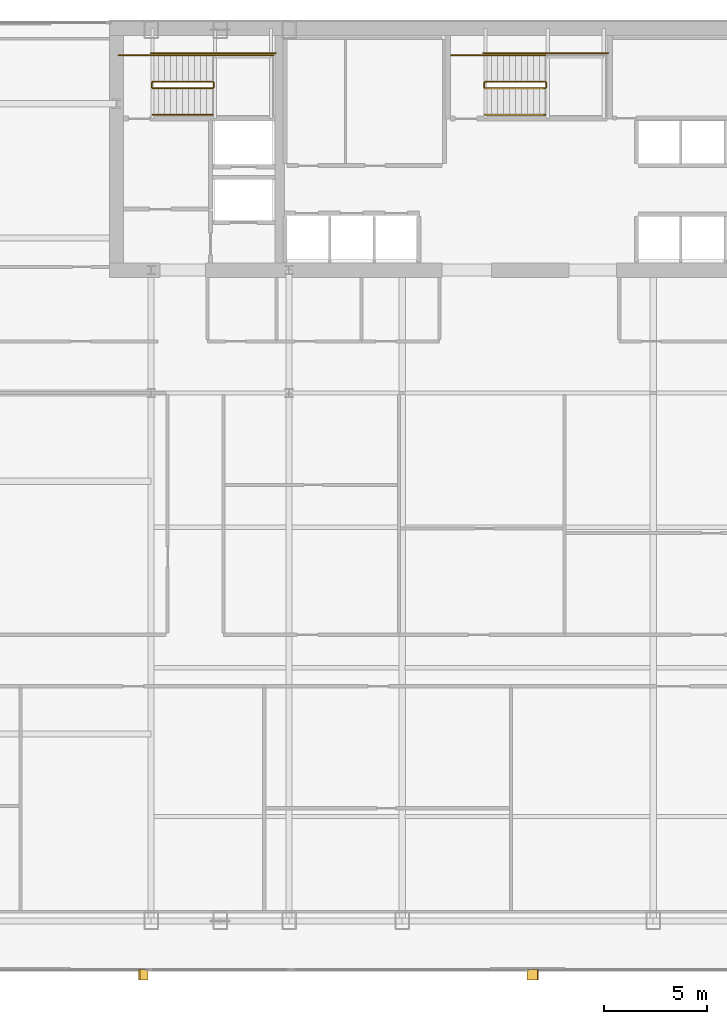
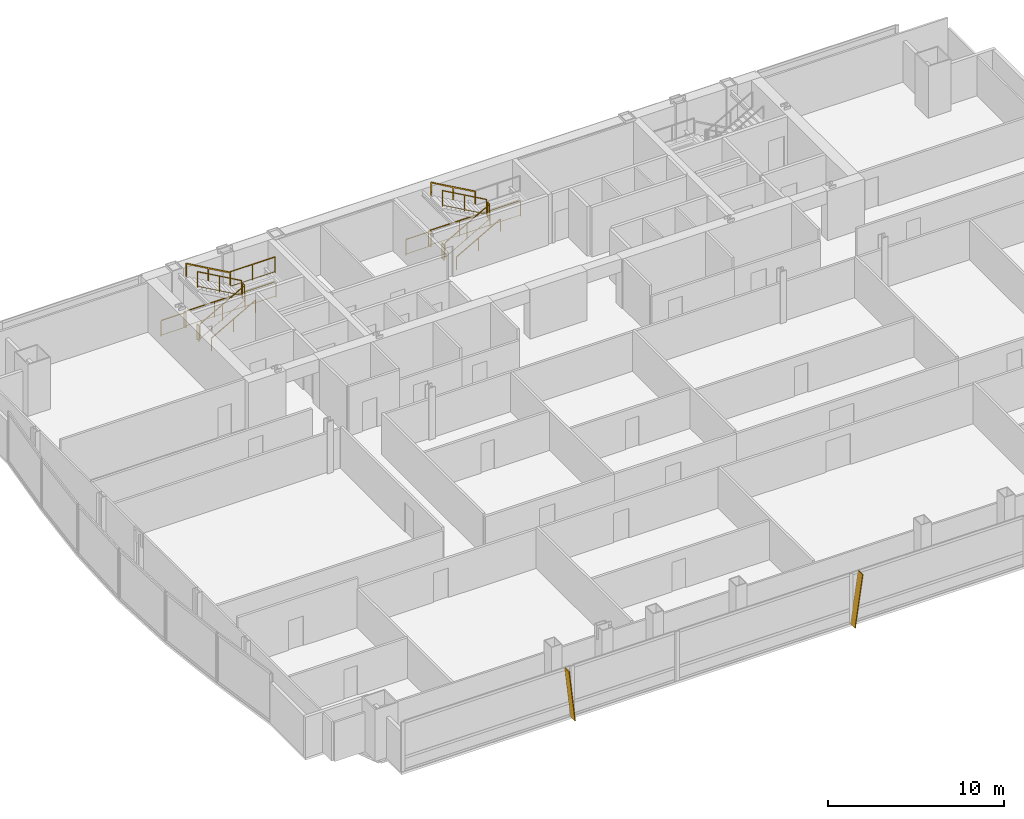
# One storey, part 30 of 32: 17 railings, 2 shading devices.
"""IFC4 building model written with IfcOpenShell, lengths in metres."""

import ifcopenshell
import ifcopenshell.guid

model = None  # the IFC model being written
_history = None  # IfcOwnerHistory: only IFC2X3 demands one
_inside = {}  # id of a spatial element -> (the spatial element, [elements in it])
_under = {}  # id of a project, library or spatial element -> (it, [spatial elements below it])
_declared = {}  # id of a project -> (the project, [libraries it declares])
_typed = {}  # id of a type object -> (the type object, [elements of that type])
_made_of = {}  # id of a material, layer set ... -> (it, [elements and type objects made of it])


def new_model(schema):
    """Start an empty IFC model of exactly this schema.

    Asked for "IFC4X3", IfcOpenShell would pick the latest addendum, in which some entities
    have other attributes; the version numbers below select the first issue.
    IFC2X3 requires an IfcOwnerHistory on every rooted entity: one is made here for all.
    """
    global model, _history
    if schema == "IFC4X3":
        model = ifcopenshell.file(schema_version=(4, 3, 0, 0))
    else:
        model = ifcopenshell.file(schema=schema)
    _inside.clear()
    _under.clear()
    _declared.clear()
    _typed.clear()
    _made_of.clear()
    _history = None
    if model.schema == "IFC2X3":
        org = make("IfcOrganization", Name="unknown")
        user = make(
            "IfcPersonAndOrganization",
            ThePerson=make("IfcPerson", FamilyName="unknown"),
            TheOrganization=org,
        )
        app = make(
            "IfcApplication",
            ApplicationDeveloper=org,
            Version="unknown",
            ApplicationFullName="unknown",
            ApplicationIdentifier="unknown",
        )
        _history = make(
            "IfcOwnerHistory",
            OwningUser=user,
            OwningApplication=app,
            ChangeAction="ADDED",
            CreationDate=0,
        )
    return model


def make(cls, **values):
    """One entity of the class cls with the attributes given. An attribute that is None is left unset."""
    return model.create_entity(
        cls, **{name: value for name, value in values.items() if value is not None}
    )


def rooted(cls, **values):
    """An entity with a GlobalId (a new one), such as an element, a storey or a relation."""
    return make(cls, GlobalId=ifcopenshell.guid.new(), OwnerHistory=_history, **values)


def si_unit(unit_type, name, prefix=None):
    """IfcSIUnit, for example si_unit("LENGTHUNIT", "METRE", prefix="MILLI")."""
    return make("IfcSIUnit", UnitType=unit_type, Prefix=prefix, Name=name)


def assignment(units):
    """IfcUnitAssignment: the units of a project."""
    return None if units is None else make("IfcUnitAssignment", Units=units)


def point(xyz):
    """IfcCartesianPoint."""
    return None if xyz is None else make("IfcCartesianPoint", Coordinates=xyz)


def direction(xyz):
    """IfcDirection."""
    return None if xyz is None else make("IfcDirection", DirectionRatios=xyz)


def frame(location, z_axis=None, x_axis=None):
    """IfcAxis2Placement3D, a coordinate frame: its origin and axes. An axis left out is left unset."""
    return make(
        "IfcAxis2Placement3D",
        Location=point(location),
        Axis=direction(z_axis),
        RefDirection=direction(x_axis),
    )


def frame_2d(location, x_axis=None):
    """IfcAxis2Placement2D, a coordinate frame in the plane: its origin and x axis."""
    return make(
        "IfcAxis2Placement2D", Location=point(location), RefDirection=direction(x_axis)
    )


def origin():
    """The frame at (0, 0, 0) with its axes left unset."""
    return frame((0.0, 0.0, 0.0))


def origin_2d():
    """The frame at (0, 0) in the plane with its x axis left unset."""
    return frame_2d((0.0, 0.0))


def place(relative_to, where):
    """IfcLocalPlacement: puts the frame where relative to a parent placement (None: the world)."""
    return make(
        "IfcLocalPlacement", PlacementRelTo=relative_to, RelativePlacement=where
    )


def context(
    kind, dimensions, precision=None, world=None, true_north=None, identifier=None
):
    """IfcGeometricRepresentationContext, for example the 3D "Model" context."""
    return make(
        "IfcGeometricRepresentationContext",
        ContextIdentifier=identifier,
        ContextType=kind,
        CoordinateSpaceDimension=dimensions,
        Precision=precision,
        WorldCoordinateSystem=world,
        TrueNorth=true_north,
    )


def subcontext(parent, identifier, kind, view, scale=None):
    """IfcGeometricRepresentationSubContext, for example "Body" below "Model"."""
    return make(
        "IfcGeometricRepresentationSubContext",
        ContextIdentifier=identifier,
        ContextType=kind,
        ParentContext=parent,
        TargetScale=scale,
        TargetView=view,
    )


def project(units=None, contexts=None):
    """IfcProject with its units and contexts."""
    return rooted(
        "IfcProject",
        Name="project",
        RepresentationContexts=contexts,
        UnitsInContext=assignment(units),
    )


def spatial(cls, under=None, at=None, **own):
    """A site, building, storey or space (cls), placed at a placement, below another one or the project."""
    s = rooted(cls, ObjectPlacement=at, **own)
    if under is not None:
        _under.setdefault(under.id(), (under, []))[1].append(s)
    return s


def polyline(points):
    """IfcPolyline through the points."""
    return make("IfcPolyline", Points=[point(p) for p in points])


def profile(cls, at=None, kind="AREA", **sizes):
    """A parametric profile (cls). Its sizes go by their IFC names, for example OverallWidth=200.0."""
    return make(cls, ProfileType=kind, Position=at, **sizes)


def rectangle(**sizes):
    """IfcRectangleProfileDef."""
    return profile("IfcRectangleProfileDef", **sizes)


def outline(outer, holes=None, kind="AREA"):
    """IfcArbitraryClosedProfileDef: a profile drawn as a closed curve; with holes, ...WithVoids."""
    if holes is None:
        return make("IfcArbitraryClosedProfileDef", ProfileType=kind, OuterCurve=outer)
    return make(
        "IfcArbitraryProfileDefWithVoids",
        ProfileType=kind,
        OuterCurve=outer,
        InnerCurves=holes,
    )


def extrude(swept, where, along, depth):
    """IfcExtrudedAreaSolid: the profile swept, set in the frame where, extruded along a direction by depth."""
    return make(
        "IfcExtrudedAreaSolid",
        SweptArea=swept,
        Position=where,
        ExtrudedDirection=direction(along),
        Depth=depth,
    )


def shape(context_of_items, identifier, shape_type, items):
    """IfcShapeRepresentation: the items that make up one representation, for example the "Body"."""
    return make(
        "IfcShapeRepresentation",
        ContextOfItems=context_of_items,
        RepresentationIdentifier=identifier,
        RepresentationType=shape_type,
        Items=items,
    )


def material(Name=None, Category=None):
    """IfcMaterial."""
    return make("IfcMaterial", Name=Name, Category=Category)


def layer(
    of_material, thickness, ventilated=None, Name=None, Category=None, Priority=None
):
    """IfcMaterialLayer: one layer of a wall or slab, of a material (None: an air gap)."""
    return make(
        "IfcMaterialLayer",
        Material=of_material,
        LayerThickness=thickness,
        IsVentilated=ventilated,
        Name=Name,
        Category=Category,
        Priority=Priority,
    )


def layer_set(layers, Name=None):
    """IfcMaterialLayerSet."""
    return make("IfcMaterialLayerSet", MaterialLayers=layers, LayerSetName=Name)


def made_of(thing, what):
    """Note that an element or type object is made of a material, layer set ...; save() writes the relation."""
    if what is not None:
        _made_of.setdefault(what.id(), (what, []))[1].append(thing)
    return thing


def type_object(cls, material=None, **own):
    """A type object (cls), such as IfcWallType, which elements share."""
    return made_of(rooted(cls, **own), material)


def element(
    cls,
    number,
    at=None,
    inside=None,
    cuts=None,
    type_object=None,
    material=None,
    context=None,
    identifier="Body",
    shape_type=None,
    held_by="IfcProductDefinitionShape",
    body=None,
    shapes=None,
    **own,
):
    """One element of the class cls, such as IfcWall. Its Tag is "e" and its number.

    at: its placement. inside: the storey or other place that contains it. cuts: it is an
    opening in that element (IfcRelVoidsElement). A single representation is given by context,
    identifier, shape_type and body (its items); several are given by shapes. held_by: the class
    of the entity that holds the representations. save() writes the other relations.
    """
    e = rooted(cls, Tag="e%d" % number, ObjectPlacement=at, **own)
    if body is not None:
        shapes = [shape(context, identifier, shape_type, body)]
    if shapes is not None:
        e.Representation = make(held_by, Representations=shapes)
    if inside is not None:
        _inside.setdefault(inside.id(), (inside, []))[1].append(e)
    if cuts is not None:
        rooted(
            "IfcRelVoidsElement", RelatingBuildingElement=cuts, RelatedOpeningElement=e
        )
    if type_object is not None:
        _typed.setdefault(type_object.id(), (type_object, []))[1].append(e)
    return made_of(e, material)


def aggregate(whole, parts):
    """IfcRelAggregates: a whole, such as a stair, and the parts it consists of."""
    return rooted("IfcRelAggregates", RelatingObject=whole, RelatedObjects=parts)


def save(model, path):
    """Write the relations noted so far, then the file.

    IfcRelAggregates (storeys below a building ...), IfcRelContainedInSpatialStructure (elements
    in a storey), IfcRelDefinesByType, IfcRelAssociatesMaterial and IfcRelDeclares: one each for
    every whole, place, type object, material and project.
    """
    for whole, parts in _under.values():
        aggregate(whole, parts)
    for where, things in _inside.values():
        rooted(
            "IfcRelContainedInSpatialStructure",
            RelatedElements=things,
            RelatingStructure=where,
        )
    for kind, things in _typed.values():
        rooted("IfcRelDefinesByType", RelatedObjects=things, RelatingType=kind)
    for what, things in _made_of.values():
        rooted("IfcRelAssociatesMaterial", RelatedObjects=things, RelatingMaterial=what)
    for by, libraries in _declared.values():
        rooted("IfcRelDeclares", RelatingContext=by, RelatedDefinitions=libraries)
    model.write(path)


model = new_model("IFC4")

# Units and contexts
model_context = context("Model", 3, precision=1e-05, world=origin(), true_north=direction((0.0, 1.0)))
body_context = subcontext(model_context, "Body", "Model", "MODEL_VIEW")
ifc_project = project(units=[si_unit("LENGTHUNIT", "METRE"), si_unit("AREAUNIT", "SQUARE_METRE"), si_unit("VOLUMEUNIT", "CUBIC_METRE"), si_unit("PLANEANGLEUNIT", "RADIAN"), si_unit("MASSUNIT", "GRAM", prefix="KILO")], contexts=[model_context])

# Site, building, storey
site_placement = place(None, origin())
site = spatial("IfcSite", under=ifc_project, at=site_placement, CompositionType="ELEMENT")
building_placement = place(site_placement, origin())
building = spatial("IfcBuilding", under=site, at=building_placement, Name="Khoronbel Lancet Exchange", CompositionType="ELEMENT")
storey_placement = place(building_placement, frame((0.0, 0.0, 125.39990234375)))
storey = spatial("IfcBuildingStorey", under=building, at=storey_placement, Name="L30", CompositionType="ELEMENT", Elevation=125.39990234375)

# Railings
ifc_material_1 = material(Name="Painted Steel Balustrade", Category="steel")
railing_type_1 = type_object("IfcRailingType", Name="RL-STG110", PredefinedType="GUARDRAIL", material=ifc_material_1)
railing_1_placement = place(storey_placement, frame((18.300048828125, 50.449951171875, 0.163818359375)))
element("IfcRailing", 1, at=railing_1_placement, inside=storey, type_object=railing_type_1, Name="L30 ST1 stair guard 1", PredefinedType="GUARDRAIL", context=body_context, shape_type="SweptSolid", body=[
    extrude(rectangle(XDim=0.048095703125, YDim=0.048095703125, at=origin_2d()), frame((0.0, 0.0, 1.09619140625), z_axis=(0.870928581787, 0.0, 0.491409610636), x_axis=(0.0, 1.0, 0.0)), (0.0, 0.0, 1.0), 3.32958984375),
    extrude(rectangle(XDim=0.02392578125, YDim=0.02392578125, at=origin_2d()), frame((0.0, 0.0, 0.080078125), z_axis=(0.870928581787, 0.0, 0.491409610636), x_axis=(0.0, 1.0, 0.0)), (0.0, 0.0, 1.0), 3.32958984375),
    extrude(rectangle(XDim=0.0419921875, YDim=0.0419921875, at=origin_2d()), origin(), (0.0, 0.0, 1.0), 1.072021484375),
    extrude(rectangle(XDim=0.0419921875, YDim=0.0419921875, at=origin_2d()), frame((1.449951171875, 0.0, 0.818115234375)), (0.0, 0.0, 1.0), 1.072021484375),
    extrude(rectangle(XDim=0.0419921875, YDim=0.0419921875, at=origin_2d()), frame((2.89990234375, 0.0, 1.63623046875)), (0.0, 0.0, 1.0), 1.072021484375),
])
railing_2_placement = place(storey_placement, frame((21.25, 50.5, 1.800048828125)))
element("IfcRailing", 2, at=railing_2_placement, inside=storey, type_object=railing_type_1, Name="L30 ST1 stair guard 2", PredefinedType="GUARDRAIL", context=body_context, shape_type="SweptSolid", body=[
    extrude(rectangle(XDim=0.048095703125, YDim=0.048095703125, at=origin_2d()), frame((0.0, 0.0, 1.09619140625), z_axis=(0.0, 1.0, 0.0), x_axis=(-1.0, 0.0, 0.0)), (0.0, 0.0, 1.0), 0.219970703125),
    extrude(rectangle(XDim=0.02392578125, YDim=0.02392578125, at=origin_2d()), frame((0.0, 0.0, 0.080078125), z_axis=(0.0, 1.0, 0.0), x_axis=(-1.0, 0.0, 0.0)), (0.0, 0.0, 1.0), 0.219970703125),
    extrude(rectangle(XDim=0.0419921875, YDim=0.0419921875, at=origin_2d()), origin(), (0.0, 0.0, 1.0), 1.072021484375),
    extrude(rectangle(XDim=0.0419921875, YDim=0.0419921875, at=origin_2d()), frame((0.0, 0.219970703125, 0.0)), (0.0, 0.0, 1.0), 1.072021484375),
])
railing_3_placement = place(storey_placement, frame((21.199951171875, 52.050048828125, 1.800048828125)))
element("IfcRailing", 3, at=railing_3_placement, inside=storey, type_object=railing_type_1, Name="L30 ST1 stair guard 3", PredefinedType="GUARDRAIL", context=body_context, shape_type="SweptSolid", body=[
    extrude(rectangle(XDim=0.048095703125, YDim=0.048095703125, at=origin_2d()), frame((0.0, 0.0, 1.09619140625), z_axis=(1.0, 0.0, 0.0), x_axis=(0.0, 1.0, 0.0)), (0.0, 0.0, 1.0), 2.949951171875),
    extrude(rectangle(XDim=0.02392578125, YDim=0.02392578125, at=origin_2d()), frame((0.0, 0.0, 0.080078125), z_axis=(1.0, 0.0, 0.0), x_axis=(0.0, 1.0, 0.0)), (0.0, 0.0, 1.0), 2.949951171875),
    extrude(rectangle(XDim=0.0419921875, YDim=0.0419921875, at=origin_2d()), origin(), (0.0, 0.0, 1.0), 1.072021484375),
    extrude(rectangle(XDim=0.0419921875, YDim=0.0419921875, at=origin_2d()), frame((1.47509765625, 0.0, 0.0)), (0.0, 0.0, 1.0), 1.072021484375),
    extrude(rectangle(XDim=0.0419921875, YDim=0.0419921875, at=origin_2d()), frame((2.949951171875, 0.0, 0.0)), (0.0, 0.0, 1.0), 1.072021484375),
])
railing_4_placement = place(storey_placement, frame((21.199951171875, 50.77001953125, 1.963623046875)))
element("IfcRailing", 4, at=railing_4_placement, inside=storey, type_object=railing_type_1, Name="L30 ST1 stair guard 4", PredefinedType="GUARDRAIL", context=body_context, shape_type="SweptSolid", body=[
    extrude(rectangle(XDim=0.048095703125, YDim=0.048095703125, at=origin_2d()), frame((0.0, 0.0, 1.09619140625), z_axis=(-0.870897200241, 0.0, 0.491465224214), x_axis=(0.0, -1.0, 0.0)), (0.0, 0.0, 1.0), 3.329833984375),
    extrude(rectangle(XDim=0.02392578125, YDim=0.02392578125, at=origin_2d()), frame((0.0, 0.0, 0.080078125), z_axis=(-0.870897200241, 0.0, 0.491465224214), x_axis=(0.0, -1.0, 0.0)), (0.0, 0.0, 1.0), 3.329833984375),
    extrude(rectangle(XDim=0.0419921875, YDim=0.0419921875, at=origin_2d()), origin(), (0.0, 0.0, 1.0), 1.072021484375),
    extrude(rectangle(XDim=0.0419921875, YDim=0.0419921875, at=origin_2d()), frame((-1.449951171875, 0.0, 0.818359375)), (0.0, 0.0, 1.0), 1.072021484375),
    extrude(rectangle(XDim=0.0419921875, YDim=0.0419921875, at=origin_2d()), frame((-2.89990234375, 0.0, 1.636474609375)), (0.0, 0.0, 1.0), 1.072021484375),
])
railing_5_placement = place(storey_placement, frame((18.25, 50.5, 0.0)))
element("IfcRailing", 5, at=railing_5_placement, inside=storey, type_object=railing_type_1, Name="L30 ST1 stair guard 5", PredefinedType="GUARDRAIL", context=body_context, shape_type="SweptSolid", body=[
    extrude(rectangle(XDim=0.048095703125, YDim=0.048095703125, at=origin_2d()), frame((0.0, 0.0, 1.09619140625), z_axis=(0.0, 1.0, 0.0), x_axis=(-1.0, 0.0, 0.0)), (0.0, 0.0, 1.0), 0.219970703125),
    extrude(rectangle(XDim=0.02392578125, YDim=0.02392578125, at=origin_2d()), frame((0.0, 0.0, 0.080078125), z_axis=(0.0, 1.0, 0.0), x_axis=(-1.0, 0.0, 0.0)), (0.0, 0.0, 1.0), 0.219970703125),
    extrude(rectangle(XDim=0.0419921875, YDim=0.0419921875, at=origin_2d()), origin(), (0.0, 0.0, 1.0), 1.072021484375),
    extrude(rectangle(XDim=0.0419921875, YDim=0.0419921875, at=origin_2d()), frame((0.0, 0.219970703125, 0.0)), (0.0, 0.0, 1.0), 1.072021484375),
])
railing_6_placement = place(storey_placement, frame((16.64990234375, 52.050048828125, 0.0)))
element("IfcRailing", 6, at=railing_6_placement, inside=storey, type_object=railing_type_1, Name="L30 ST1 stair guard 6", PredefinedType="GUARDRAIL", context=body_context, shape_type="SweptSolid", body=[
    extrude(rectangle(XDim=0.048095703125, YDim=0.048095703125, at=origin_2d()), frame((0.0, 0.0, 1.09619140625), z_axis=(1.0, 0.0, 0.0), x_axis=(0.0, 1.0, 0.0)), (0.0, 0.0, 1.0), 1.650146484375),
    extrude(rectangle(XDim=0.02392578125, YDim=0.02392578125, at=origin_2d()), frame((0.0, 0.0, 0.080078125), z_axis=(1.0, 0.0, 0.0), x_axis=(0.0, 1.0, 0.0)), (0.0, 0.0, 1.0), 1.650146484375),
    extrude(rectangle(XDim=0.0419921875, YDim=0.0419921875, at=origin_2d()), origin(), (0.0, 0.0, 1.0), 1.072021484375),
    extrude(rectangle(XDim=0.0419921875, YDim=0.0419921875, at=origin_2d()), frame((1.650146484375, 0.0, 0.0)), (0.0, 0.0, 1.0), 1.072021484375),
])
railing_7_placement = place(storey_placement, frame((18.199951171875, 52.14990234375, 0.0)))
element("IfcRailing", 7, at=railing_7_placement, inside=storey, type_object=railing_type_1, Name="L30 ST1 stair guard 7", PredefinedType="GUARDRAIL", context=body_context, shape_type="SweptSolid", body=[
    extrude(rectangle(XDim=0.048095703125, YDim=0.048095703125, at=origin_2d()), frame((0.0, 0.0, 1.09619140625), z_axis=(1.0, 0.0, 0.0), x_axis=(0.0, 1.0, 0.0)), (0.0, 0.0, 1.0), 6.050048828125),
    extrude(rectangle(XDim=0.02392578125, YDim=0.02392578125, at=origin_2d()), frame((0.0, 0.0, 0.080078125), z_axis=(1.0, 0.0, 0.0), x_axis=(0.0, 1.0, 0.0)), (0.0, 0.0, 1.0), 6.050048828125),
    extrude(rectangle(XDim=0.0419921875, YDim=0.0419921875, at=origin_2d()), origin(), (0.0, 0.0, 1.0), 1.072021484375),
    extrude(rectangle(XDim=0.0419921875, YDim=0.0419921875, at=origin_2d()), frame((2.0166015625, 0.0, 0.0)), (0.0, 0.0, 1.0), 1.072021484375),
    extrude(rectangle(XDim=0.0419921875, YDim=0.0419921875, at=origin_2d()), frame((4.033447265625, 0.0, 0.0)), (0.0, 0.0, 1.0), 1.072021484375),
    extrude(rectangle(XDim=0.0419921875, YDim=0.0419921875, at=origin_2d()), frame((6.050048828125, 0.0, 0.0)), (0.0, 0.0, 1.0), 1.072021484375),
])
railing_8_placement = place(storey_placement, frame((34.39990234375, 50.449951171875, 0.163818359375)))
element("IfcRailing", 8, at=railing_8_placement, inside=storey, type_object=railing_type_1, Name="L30 ST3 stair guard 1", PredefinedType="GUARDRAIL", context=body_context, shape_type="SweptSolid", body=[
    extrude(rectangle(XDim=0.048095703125, YDim=0.048095703125, at=origin_2d()), frame((0.0, 0.0, 1.09619140625), z_axis=(0.870946286338, 0.0, 0.49137823142), x_axis=(0.0, 1.0, 0.0)), (0.0, 0.0, 1.0), 3.329833984375),
    extrude(rectangle(XDim=0.02392578125, YDim=0.02392578125, at=origin_2d()), frame((0.0, 0.0, 0.080078125), z_axis=(0.870946286338, 0.0, 0.49137823142), x_axis=(0.0, 1.0, 0.0)), (0.0, 0.0, 1.0), 3.329833984375),
    extrude(rectangle(XDim=0.0419921875, YDim=0.0419921875, at=origin_2d()), origin(), (0.0, 0.0, 1.0), 1.072021484375),
    extrude(rectangle(XDim=0.0419921875, YDim=0.0419921875, at=origin_2d()), frame((1.4501953125, 0.0, 0.818115234375)), (0.0, 0.0, 1.0), 1.072021484375),
    extrude(rectangle(XDim=0.0419921875, YDim=0.0419921875, at=origin_2d()), frame((2.900146484375, 0.0, 1.63623046875)), (0.0, 0.0, 1.0), 1.072021484375),
])
railing_9_placement = place(storey_placement, frame((37.35009765625, 50.5, 1.800048828125)))
element("IfcRailing", 9, at=railing_9_placement, inside=storey, type_object=railing_type_1, Name="L30 ST3 stair guard 2", PredefinedType="GUARDRAIL", context=body_context, shape_type="SweptSolid", body=[
    extrude(rectangle(XDim=0.048095703125, YDim=0.048095703125, at=origin_2d()), frame((0.0, 0.0, 1.09619140625), z_axis=(0.0, 1.0, 0.0), x_axis=(-1.0, 0.0, 0.0)), (0.0, 0.0, 1.0), 0.219970703125),
    extrude(rectangle(XDim=0.02392578125, YDim=0.02392578125, at=origin_2d()), frame((0.0, 0.0, 0.080078125), z_axis=(0.0, 1.0, 0.0), x_axis=(-1.0, 0.0, 0.0)), (0.0, 0.0, 1.0), 0.219970703125),
    extrude(rectangle(XDim=0.0419921875, YDim=0.0419921875, at=origin_2d()), origin(), (0.0, 0.0, 1.0), 1.072021484375),
    extrude(rectangle(XDim=0.0419921875, YDim=0.0419921875, at=origin_2d()), frame((0.0, 0.219970703125, 0.0)), (0.0, 0.0, 1.0), 1.072021484375),
])
railing_10_placement = place(storey_placement, frame((37.300048828125, 50.77001953125, 1.963623046875)))
element("IfcRailing", 10, at=railing_10_placement, inside=storey, type_object=railing_type_1, Name="L30 ST3 stair guard 4", PredefinedType="GUARDRAIL", context=body_context, shape_type="SweptSolid", body=[
    extrude(rectangle(XDim=0.048095703125, YDim=0.048095703125, at=origin_2d()), frame((0.0, 0.0, 1.09619140625), z_axis=(-0.870914908162, 0.0, 0.491433843708), x_axis=(0.0, -1.0, 0.0)), (0.0, 0.0, 1.0), 3.330078125),
    extrude(rectangle(XDim=0.02392578125, YDim=0.02392578125, at=origin_2d()), frame((0.0, 0.0, 0.080078125), z_axis=(-0.870914908162, 0.0, 0.491433843708), x_axis=(0.0, -1.0, 0.0)), (0.0, 0.0, 1.0), 3.330078125),
    extrude(rectangle(XDim=0.0419921875, YDim=0.0419921875, at=origin_2d()), origin(), (0.0, 0.0, 1.0), 1.072021484375),
    extrude(rectangle(XDim=0.0419921875, YDim=0.0419921875, at=origin_2d()), frame((-1.4501953125, 0.0, 0.818359375)), (0.0, 0.0, 1.0), 1.072021484375),
    extrude(rectangle(XDim=0.0419921875, YDim=0.0419921875, at=origin_2d()), frame((-2.900146484375, 0.0, 1.636474609375)), (0.0, 0.0, 1.0), 1.072021484375),
])
railing_11_placement = place(storey_placement, frame((34.35009765625, 50.5, 0.0)))
element("IfcRailing", 11, at=railing_11_placement, inside=storey, type_object=railing_type_1, Name="L30 ST3 stair guard 5", PredefinedType="GUARDRAIL", context=body_context, shape_type="SweptSolid", body=[
    extrude(rectangle(XDim=0.048095703125, YDim=0.048095703125, at=origin_2d()), frame((0.0, 0.0, 1.09619140625), z_axis=(0.0, 1.0, 0.0), x_axis=(-1.0, 0.0, 0.0)), (0.0, 0.0, 1.0), 0.219970703125),
    extrude(rectangle(XDim=0.02392578125, YDim=0.02392578125, at=origin_2d()), frame((0.0, 0.0, 0.080078125), z_axis=(0.0, 1.0, 0.0), x_axis=(-1.0, 0.0, 0.0)), (0.0, 0.0, 1.0), 0.219970703125),
    extrude(rectangle(XDim=0.0419921875, YDim=0.0419921875, at=origin_2d()), origin(), (0.0, 0.0, 1.0), 1.072021484375),
    extrude(rectangle(XDim=0.0419921875, YDim=0.0419921875, at=origin_2d()), frame((0.0, 0.219970703125, 0.0)), (0.0, 0.0, 1.0), 1.072021484375),
])
railing_12_placement = place(storey_placement, frame((32.75, 52.050048828125, 0.0)))
element("IfcRailing", 12, at=railing_12_placement, inside=storey, type_object=railing_type_1, Name="L30 ST3 stair guard 6", PredefinedType="GUARDRAIL", context=body_context, shape_type="SweptSolid", body=[
    extrude(rectangle(XDim=0.048095703125, YDim=0.048095703125, at=origin_2d()), frame((0.0, 0.0, 1.09619140625), z_axis=(1.0, 0.0, 0.0), x_axis=(0.0, 1.0, 0.0)), (0.0, 0.0, 1.0), 1.64990234375),
    extrude(rectangle(XDim=0.02392578125, YDim=0.02392578125, at=origin_2d()), frame((0.0, 0.0, 0.080078125), z_axis=(1.0, 0.0, 0.0), x_axis=(0.0, 1.0, 0.0)), (0.0, 0.0, 1.0), 1.64990234375),
    extrude(rectangle(XDim=0.0419921875, YDim=0.0419921875, at=origin_2d()), origin(), (0.0, 0.0, 1.0), 1.072021484375),
    extrude(rectangle(XDim=0.0419921875, YDim=0.0419921875, at=origin_2d()), frame((1.64990234375, 0.0, 0.0)), (0.0, 0.0, 1.0), 1.072021484375),
])
railing_13_placement = place(storey_placement, frame((34.300048828125, 52.14990234375, 0.0)))
element("IfcRailing", 13, at=railing_13_placement, inside=storey, type_object=railing_type_1, Name="L30 ST3 stair guard 7", PredefinedType="GUARDRAIL", context=body_context, shape_type="SweptSolid", body=[
    extrude(rectangle(XDim=0.048095703125, YDim=0.048095703125, at=origin_2d()), frame((0.0, 0.0, 1.09619140625), z_axis=(1.0, 0.0, 0.0), x_axis=(0.0, 1.0, 0.0)), (0.0, 0.0, 1.0), 6.050048828125),
    extrude(rectangle(XDim=0.02392578125, YDim=0.02392578125, at=origin_2d()), frame((0.0, 0.0, 0.080078125), z_axis=(1.0, 0.0, 0.0), x_axis=(0.0, 1.0, 0.0)), (0.0, 0.0, 1.0), 6.050048828125),
    extrude(rectangle(XDim=0.0419921875, YDim=0.0419921875, at=origin_2d()), origin(), (0.0, 0.0, 1.0), 1.072021484375),
    extrude(rectangle(XDim=0.0419921875, YDim=0.0419921875, at=origin_2d()), frame((2.0166015625, 0.0, 0.0)), (0.0, 0.0, 1.0), 1.072021484375),
    extrude(rectangle(XDim=0.0419921875, YDim=0.0419921875, at=origin_2d()), frame((4.033447265625, 0.0, 0.0)), (0.0, 0.0, 1.0), 1.072021484375),
    extrude(rectangle(XDim=0.0419921875, YDim=0.0419921875, at=origin_2d()), frame((6.050048828125, 0.0, 0.0)), (0.0, 0.0, 1.0), 1.072021484375),
])
ifc_material_2 = material(Name="Brushed Stainless Steel 316", Category="steel")
railing_type_2 = type_object("IfcRailingType", Name="RL-STH92", PredefinedType="HANDRAIL", material=ifc_material_2)
railing_14_placement = place(storey_placement, frame((18.300048828125, 49.169921875, 0.163818359375)))
element("IfcRailing", 14, at=railing_14_placement, inside=storey, type_object=railing_type_2, Name="L30 ST1 stair handrail 1", PredefinedType="HANDRAIL", context=body_context, shape_type="SweptSolid", body=[
    extrude(rectangle(XDim=0.048095703125, YDim=0.048095703125, at=origin_2d()), frame((0.0, 0.0, 0.8759765625), z_axis=(0.870928581787, 0.0, 0.491409610636), x_axis=(0.0, 1.0, 0.0)), (0.0, 0.0, 1.0), 3.32958984375),
    extrude(rectangle(XDim=0.0419921875, YDim=0.0419921875, at=origin_2d()), origin(), (0.0, 0.0, 1.0), 0.851806640625),
    extrude(rectangle(XDim=0.0419921875, YDim=0.0419921875, at=origin_2d()), frame((1.449951171875, 0.0, 0.818115234375)), (0.0, 0.0, 1.0), 0.851806640625),
    extrude(rectangle(XDim=0.0419921875, YDim=0.0419921875, at=origin_2d()), frame((2.89990234375, 0.0, 1.63623046875)), (0.0, 0.0, 1.0), 0.851806640625),
])
railing_15_placement = place(storey_placement, frame((21.199951171875, 52.050048828125, 1.963623046875)))
element("IfcRailing", 15, at=railing_15_placement, inside=storey, type_object=railing_type_2, Name="L30 ST1 stair handrail 2", PredefinedType="HANDRAIL", context=body_context, shape_type="SweptSolid", body=[
    extrude(rectangle(XDim=0.048095703125, YDim=0.048095703125, at=origin_2d()), frame((0.0, 0.0, 0.8759765625), z_axis=(-0.870897200241, 0.0, 0.491465224214), x_axis=(0.0, -1.0, 0.0)), (0.0, 0.0, 1.0), 3.329833984375),
    extrude(rectangle(XDim=0.0419921875, YDim=0.0419921875, at=origin_2d()), origin(), (0.0, 0.0, 1.0), 0.851806640625),
    extrude(rectangle(XDim=0.0419921875, YDim=0.0419921875, at=origin_2d()), frame((-1.449951171875, 0.0, 0.818359375)), (0.0, 0.0, 1.0), 0.851806640625),
    extrude(rectangle(XDim=0.0419921875, YDim=0.0419921875, at=origin_2d()), frame((-2.89990234375, 0.0, 1.636474609375)), (0.0, 0.0, 1.0), 0.851806640625),
])
railing_16_placement = place(storey_placement, frame((34.39990234375, 49.169921875, 0.163818359375)))
element("IfcRailing", 16, at=railing_16_placement, inside=storey, type_object=railing_type_2, Name="L30 ST3 stair handrail 1", PredefinedType="HANDRAIL", context=body_context, shape_type="SweptSolid", body=[
    extrude(rectangle(XDim=0.048095703125, YDim=0.048095703125, at=origin_2d()), frame((0.0, 0.0, 0.8759765625), z_axis=(0.870946286338, 0.0, 0.49137823142), x_axis=(0.0, 1.0, 0.0)), (0.0, 0.0, 1.0), 3.329833984375),
    extrude(rectangle(XDim=0.0419921875, YDim=0.0419921875, at=origin_2d()), origin(), (0.0, 0.0, 1.0), 0.851806640625),
    extrude(rectangle(XDim=0.0419921875, YDim=0.0419921875, at=origin_2d()), frame((1.4501953125, 0.0, 0.818115234375)), (0.0, 0.0, 1.0), 0.851806640625),
    extrude(rectangle(XDim=0.0419921875, YDim=0.0419921875, at=origin_2d()), frame((2.900146484375, 0.0, 1.63623046875)), (0.0, 0.0, 1.0), 0.851806640625),
])
railing_17_placement = place(storey_placement, frame((37.300048828125, 52.050048828125, 1.963623046875)))
element("IfcRailing", 17, at=railing_17_placement, inside=storey, type_object=railing_type_2, Name="L30 ST3 stair handrail 2", PredefinedType="HANDRAIL", context=body_context, shape_type="SweptSolid", body=[
    extrude(rectangle(XDim=0.048095703125, YDim=0.048095703125, at=origin_2d()), frame((0.0, 0.0, 0.8759765625), z_axis=(-0.870914908162, 0.0, 0.491433843708), x_axis=(0.0, -1.0, 0.0)), (0.0, 0.0, 1.0), 3.330078125),
    extrude(rectangle(XDim=0.0419921875, YDim=0.0419921875, at=origin_2d()), origin(), (0.0, 0.0, 1.0), 0.851806640625),
    extrude(rectangle(XDim=0.0419921875, YDim=0.0419921875, at=origin_2d()), frame((-1.4501953125, 0.0, 0.818359375)), (0.0, 0.0, 1.0), 0.851806640625),
    extrude(rectangle(XDim=0.0419921875, YDim=0.0419921875, at=origin_2d()), frame((-2.900146484375, 0.0, 1.636474609375)), (0.0, 0.0, 1.0), 0.851806640625),
])

# Shading devices
ifc_material_3 = material(Name="Bronze-Anodised Aluminium 6063-T6", Category="aluminium")
ifc_layer = layer(ifc_material_3, 0.054931640625, Name="Bronze-Anodised Aluminium 6063-T6")
ifc_layer_set = layer_set([ifc_layer], Name="Bronze-Anodised Aluminium 6063-T6")
shading_device_type = type_object("IfcShadingDeviceType", Name="SHD-FIN1", PredefinedType="USERDEFINED", material=ifc_layer_set)
shading_device_1_placement = place(storey_placement, frame((18.072509765625, 7.81005859375, -0.079833984375), z_axis=(0.99389951861, 0.0, 0.110289378034), x_axis=(0.0, -1.0, 0.0)))
element("IfcShadingDevice", 18, at=shading_device_1_placement, inside=storey, type_object=shading_device_type, Name="Slanted bronze solar fin CW-L30-SWV-1", ObjectType="FIN", PredefinedType="USERDEFINED", context=body_context, shape_type="SweptSolid", body=[
    extrude(outline(polyline([(0.0, 0.0), (0.52001953125, 0.0), (0.52001953125, -3.58154296875), (0.0, -3.58154296875), (0.0, 0.0)])), origin(), (0.0, 0.0, -1.0), 0.054931640625),
])
shading_device_2_placement = place(storey_placement, frame((36.422607421875, 7.81005859375, -0.079833984375), z_axis=(-0.990091586433, 0.0, 0.14042311232), x_axis=(0.0, -1.0, 0.0)))
element("IfcShadingDevice", 19, at=shading_device_2_placement, inside=storey, type_object=shading_device_type, Name="Slanted bronze solar fin CW-L30-SCV-1", ObjectType="FIN", PredefinedType="USERDEFINED", context=body_context, shape_type="SweptSolid", body=[
    extrude(outline(polyline([(0.0, 0.0), (0.52001953125, 0.0), (0.52001953125, 3.595458984375), (0.0, 3.595458984375), (0.0, 0.0)])), origin(), (0.0, 0.0, -1.0), 0.054931640625),
])

save(model, "model.ifc")
